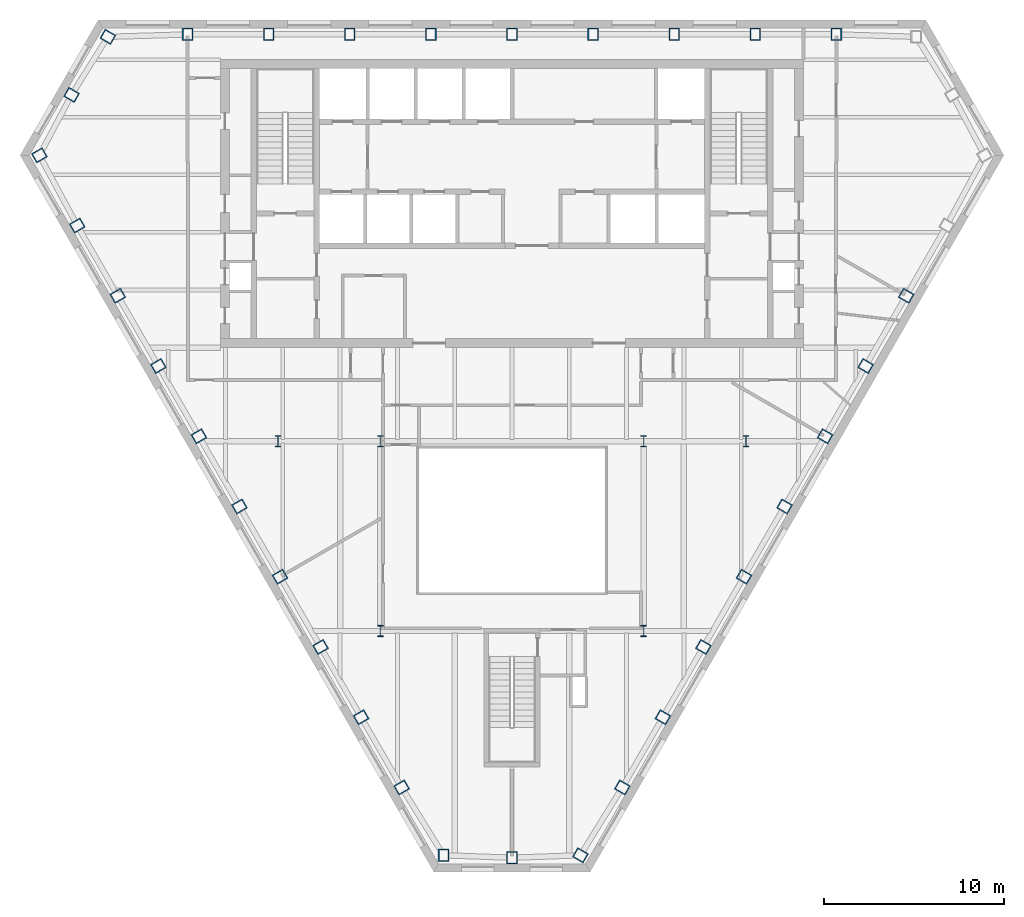
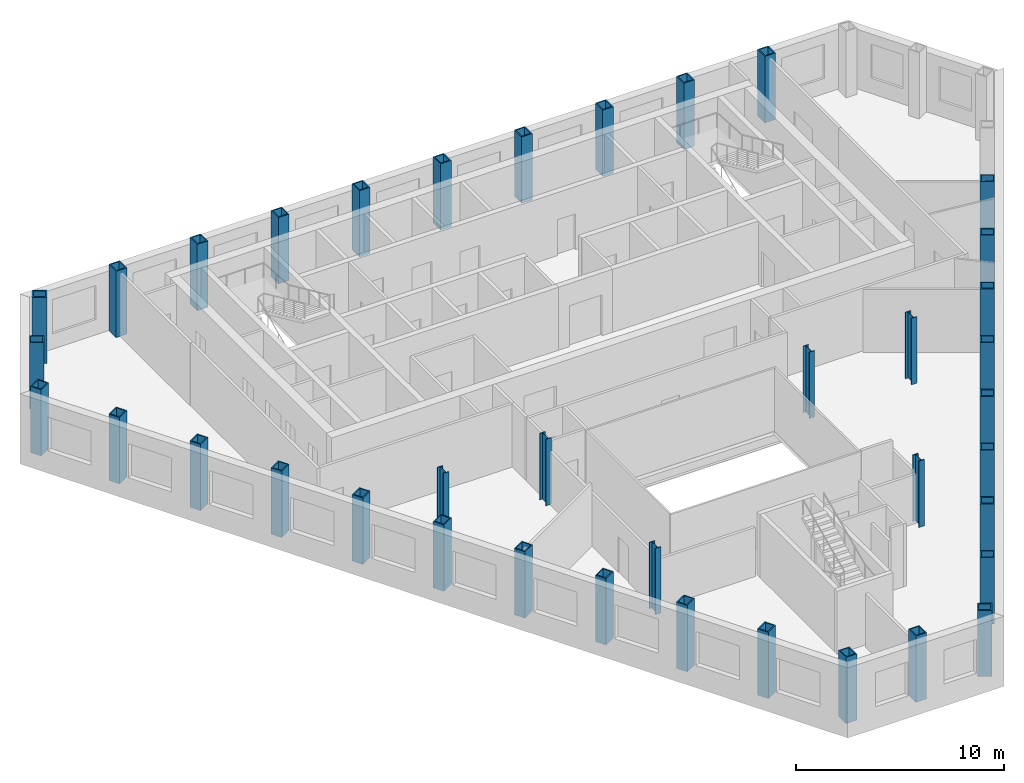
# One storey, part 1 of 10: 38 columns.
"""IFC4 building model written with IfcOpenShell, lengths in metres."""

from ifc_helpers import new_model, si_unit, direction, frame, origin, origin_2d, place, context, subcontext, project, spatial, hollow_rectangle, i_section, extrude, material, material_profile, profile_set, type_object, element, save


model = new_model("IFC4")

# Units and contexts
model_context = context("Model", 3, precision=1e-05, world=origin(), true_north=direction((0.0, 1.0)))
body_context = subcontext(model_context, "Body", "Model", "MODEL_VIEW")
ifc_project = project(units=[si_unit("LENGTHUNIT", "METRE"), si_unit("AREAUNIT", "SQUARE_METRE"), si_unit("VOLUMEUNIT", "CUBIC_METRE"), si_unit("PLANEANGLEUNIT", "RADIAN"), si_unit("MASSUNIT", "GRAM", prefix="KILO")], contexts=[model_context])

# Site, building, storey
site_placement = place(None, origin())
site = spatial("IfcSite", under=ifc_project, at=site_placement, CompositionType="ELEMENT")
building_placement = place(site_placement, origin())
building = spatial("IfcBuilding", under=site, at=building_placement, Name="Njiva Tower", CompositionType="ELEMENT")
storey_placement = place(building_placement, frame((0.0, 0.0, 159.3)))
storey = spatial("IfcBuildingStorey", under=building, at=storey_placement, Name="L34", CompositionType="ELEMENT", Elevation=159.3)

# Columns
ifc_material = material(Name="Steel S355 J2", Category="steel")
ifc_material_profile_1 = material_profile(ifc_material, i_section(OverallWidth=0.305, OverallDepth=0.62, WebThickness=0.021, FlangeThickness=0.04, at=origin_2d()), Name="HEM 600")
ifc_profile_set_1 = profile_set([ifc_material_profile_1], Name="Steel S355 J2")
column_type_1 = type_object("IfcColumnType", Name="C10 Interior column HEM 600", PredefinedType="COLUMN", material=ifc_profile_set_1)
for number, where, z_axis, x_axis, name in (
    (1, (7.32, -3.2, 0.0), (0.0, 0.0, 1.0), (1.0, 0.0, 0.0), "Interior column S11-C37"),
    (2, (-7.32, -3.2, 0.0), (0.0, 0.0, 1.0), (1.0, 0.0, 0.0), "Interior column S11-C38"),
    (3, (7.32, -13.75, 0.0), (0.0, 0.0, 1.0), (1.0, 0.0, 0.0), "Interior column S11-C39"),
    (4, (-7.32, -13.75, 0.0), (0.0, 0.0, 1.0), (1.0, 0.0, 0.0), "Interior column S11-C40"),
    (5, (13.0, -3.2, 0.0), (0.0, 0.0, 1.0), (1.0, 0.0, 0.0), "Interior column S11-C41"),
    (6, (-13.0, -3.2, 0.0), (0.0, 0.0, 1.0), (1.0, 0.0, 0.0), "Interior column S11-C42"),
):
    element("IfcColumn", number, at=place(storey_placement, frame(where, z_axis=z_axis, x_axis=x_axis)), inside=storey, type_object=column_type_1, Name=name, PredefinedType="COLUMN", context=body_context, shape_type="SweptSolid", body=[
        extrude(i_section(OverallWidth=0.305, OverallDepth=0.62, WebThickness=0.021, FlangeThickness=0.04, at=origin_2d()), origin(), (0.0, 0.0, 1.0), 3.9),
    ])
ifc_material_profile_2 = material_profile(ifc_material, hollow_rectangle(XDim=0.6, YDim=0.7, WallThickness=0.06, at=origin_2d()), Name="BOX 700x600x60")
ifc_profile_set_2 = profile_set([ifc_material_profile_2], Name="Steel S355 J2")
column_type_2 = type_object("IfcColumnType", Name="C9 Perimeter tube column BOX 700x600x60", PredefinedType="COLUMN", material=ifc_profile_set_2)
for number, where, z_axis, x_axis, name in (
    (7, (18.026, 19.4, 0.0), (0.0, 0.0, 1.0), (-1.0, 0.0, 0.0), "Perimeter tube column S11-C02"),
    (8, (13.52, 19.4, 0.0), (0.0, 0.0, 1.0), (-1.0, 0.0, 0.0), "Perimeter tube column S11-C03"),
    (9, (9.013, 19.4, 0.0), (0.0, 0.0, 1.0), (-1.0, 0.0, 0.0), "Perimeter tube column S11-C04"),
    (10, (4.507, 19.4, 0.0), (0.0, 0.0, 1.0), (-1.0, 0.0, 0.0), "Perimeter tube column S11-C05"),
    (11, (0.0, 19.4, 0.0), (0.0, 0.0, 1.0), (-1.0, 0.0, 0.0), "Perimeter tube column S11-C06"),
    (12, (-4.507, 19.4, 0.0), (0.0, 0.0, 1.0), (-1.0, 0.0, 0.0), "Perimeter tube column S11-C07"),
    (13, (-9.013, 19.4, 0.0), (0.0, 0.0, 1.0), (-1.0, 0.0, 0.0), "Perimeter tube column S11-C08"),
    (14, (-13.52, 19.4, 0.0), (0.0, 0.0, 1.0), (-1.0, 0.0, 0.0), "Perimeter tube column S11-C09"),
    (15, (-18.026, 19.4, 0.0), (0.0, 0.0, 1.0), (-1.0, 0.0, 0.0), "Perimeter tube column S11-C10"),
    (16, (-22.456, 19.267, 0.0), (0.0, 0.0, 1.0), (-0.5, -0.866025403784, 0.0), "Perimeter tube column S11-C11"),
    (17, (-24.472, 16.041, 0.0), (0.0, 0.0, 1.0), (-0.5, -0.866025403784, 0.0), "Perimeter tube column S11-C12"),
    (18, (-26.258, 12.683, 0.0), (0.0, 0.0, 1.0), (0.5, -0.866025403784, 0.0), "Perimeter tube column S11-C13"),
    (19, (-24.158, 8.78, 0.0), (0.0, 0.0, 1.0), (0.5, -0.866025403784, 0.0), "Perimeter tube column S11-C14"),
    (20, (-21.905, 4.877, 0.0), (0.0, 0.0, 1.0), (0.5, -0.866025403784, 0.0), "Perimeter tube column S11-C15"),
    (21, (-19.651, 0.974, 0.0), (0.0, 0.0, 1.0), (0.5, -0.866025403784, 0.0), "Perimeter tube column S11-C16"),
    (22, (-17.398, -2.929, 0.0), (0.0, 0.0, 1.0), (0.5, -0.866025403784, 0.0), "Perimeter tube column S11-C17"),
    (23, (-15.145, -6.831, 0.0), (0.0, 0.0, 1.0), (0.5, -0.866025403784, 0.0), "Perimeter tube column S11-C18"),
    (24, (-12.891, -10.734, 0.0), (0.0, 0.0, 1.0), (0.5, -0.866025403784, 0.0), "Perimeter tube column S11-C19"),
    (25, (-10.638, -14.637, 0.0), (0.0, 0.0, 1.0), (0.5, -0.866025403784, 0.0), "Perimeter tube column S11-C20"),
    (26, (-8.385, -18.54, 0.0), (0.0, 0.0, 1.0), (0.5, -0.866025403784, 0.0), "Perimeter tube column S11-C21"),
    (27, (-6.131, -22.443, 0.0), (0.0, 0.0, 1.0), (0.5, -0.866025403784, 0.0), "Perimeter tube column S11-C22"),
    (28, (-3.801, -26.212, 0.0), (0.0, 0.0, 1.0), (1.0, 0.0, 0.0), "Perimeter tube column S11-C23"),
    (29, (0.0, -26.346, 0.0), (0.0, 0.0, 1.0), (1.0, 0.0, 0.0), "Perimeter tube column S11-C24"),
    (30, (3.801, -26.212, 0.0), (0.0, 0.0, 1.0), (0.5, 0.866025403784, 0.0), "Perimeter tube column S11-C25"),
    (31, (6.131, -22.443, 0.0), (0.0, 0.0, 1.0), (0.5, 0.866025403784, 0.0), "Perimeter tube column S11-C26"),
    (32, (8.385, -18.54, 0.0), (0.0, 0.0, 1.0), (0.5, 0.866025403784, 0.0), "Perimeter tube column S11-C27"),
    (33, (10.638, -14.637, 0.0), (0.0, 0.0, 1.0), (0.5, 0.866025403784, 0.0), "Perimeter tube column S11-C28"),
    (34, (12.891, -10.734, 0.0), (0.0, 0.0, 1.0), (0.5, 0.866025403784, 0.0), "Perimeter tube column S11-C29"),
    (35, (15.145, -6.831, 0.0), (0.0, 0.0, 1.0), (0.5, 0.866025403784, 0.0), "Perimeter tube column S11-C30"),
    (36, (17.398, -2.929, 0.0), (0.0, 0.0, 1.0), (0.5, 0.866025403784, 0.0), "Perimeter tube column S11-C31"),
    (37, (19.651, 0.974, 0.0), (0.0, 0.0, 1.0), (0.5, 0.866025403784, 0.0), "Perimeter tube column S11-C32"),
    (38, (21.905, 4.877, 0.0), (0.0, 0.0, 1.0), (0.5, 0.866025403784, 0.0), "Perimeter tube column S11-C33"),
):
    element("IfcColumn", number, at=place(storey_placement, frame(where, z_axis=z_axis, x_axis=x_axis)), inside=storey, type_object=column_type_2, Name=name, PredefinedType="COLUMN", context=body_context, shape_type="SweptSolid", body=[
        extrude(hollow_rectangle(XDim=0.6, YDim=0.7, WallThickness=0.06, at=origin_2d()), origin(), (0.0, 0.0, 1.0), 3.9),
    ])

save(model, "model.ifc")
